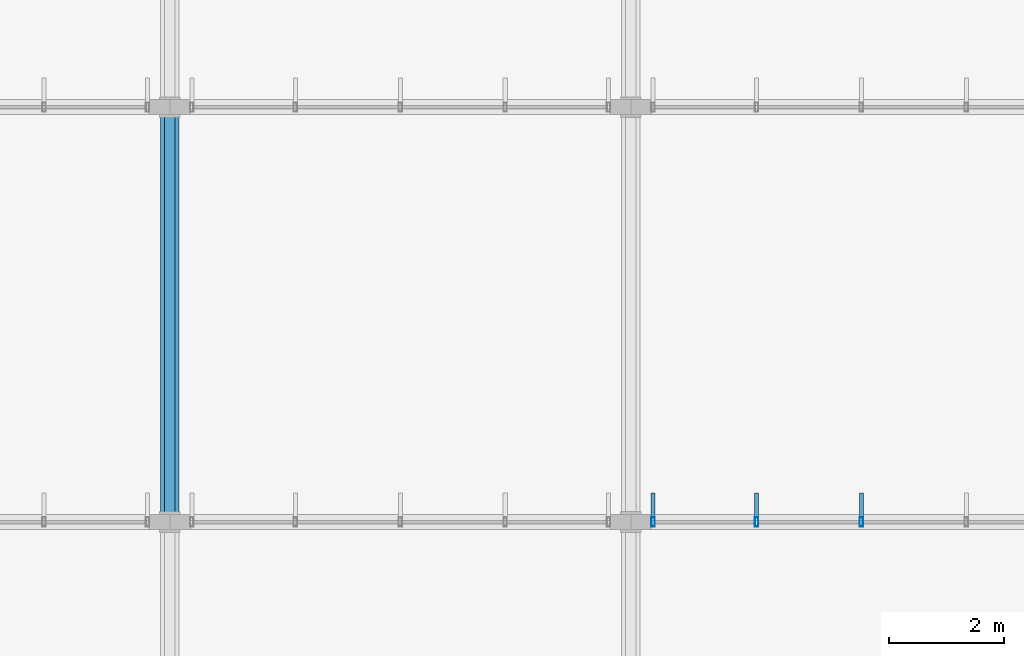
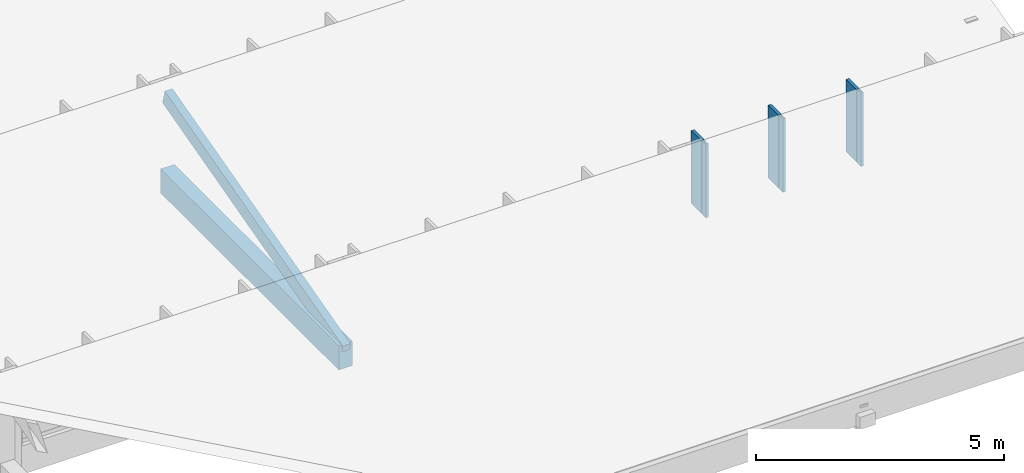
# One storey, part 10 of 94: 8 members, 1 element without a shape of its own.
"""IFC4 building model written with IfcOpenShell, lengths in metres."""

import ifcopenshell
import ifcopenshell.guid

model = None  # the IFC model being written
_history = None  # IfcOwnerHistory: only IFC2X3 demands one
_inside = {}  # id of a spatial element -> (the spatial element, [elements in it])
_under = {}  # id of a project, library or spatial element -> (it, [spatial elements below it])
_declared = {}  # id of a project -> (the project, [libraries it declares])
_typed = {}  # id of a type object -> (the type object, [elements of that type])
_made_of = {}  # id of a material, layer set ... -> (it, [elements and type objects made of it])


def new_model(schema):
    """Start an empty IFC model of exactly this schema.

    Asked for "IFC4X3", IfcOpenShell would pick the latest addendum, in which some entities
    have other attributes; the version numbers below select the first issue.
    IFC2X3 requires an IfcOwnerHistory on every rooted entity: one is made here for all.
    """
    global model, _history
    if schema == "IFC4X3":
        model = ifcopenshell.file(schema_version=(4, 3, 0, 0))
    else:
        model = ifcopenshell.file(schema=schema)
    _inside.clear()
    _under.clear()
    _declared.clear()
    _typed.clear()
    _made_of.clear()
    _history = None
    if model.schema == "IFC2X3":
        org = make("IfcOrganization", Name="unknown")
        user = make(
            "IfcPersonAndOrganization",
            ThePerson=make("IfcPerson", FamilyName="unknown"),
            TheOrganization=org,
        )
        app = make(
            "IfcApplication",
            ApplicationDeveloper=org,
            Version="unknown",
            ApplicationFullName="unknown",
            ApplicationIdentifier="unknown",
        )
        _history = make(
            "IfcOwnerHistory",
            OwningUser=user,
            OwningApplication=app,
            ChangeAction="ADDED",
            CreationDate=0,
        )
    return model


def make(cls, **values):
    """One entity of the class cls with the attributes given. An attribute that is None is left unset."""
    return model.create_entity(
        cls, **{name: value for name, value in values.items() if value is not None}
    )


def rooted(cls, **values):
    """An entity with a GlobalId (a new one), such as an element, a storey or a relation."""
    return make(cls, GlobalId=ifcopenshell.guid.new(), OwnerHistory=_history, **values)


def si_unit(unit_type, name, prefix=None):
    """IfcSIUnit, for example si_unit("LENGTHUNIT", "METRE", prefix="MILLI")."""
    return make("IfcSIUnit", UnitType=unit_type, Prefix=prefix, Name=name)


def assignment(units):
    """IfcUnitAssignment: the units of a project."""
    return None if units is None else make("IfcUnitAssignment", Units=units)


def point(xyz):
    """IfcCartesianPoint."""
    return None if xyz is None else make("IfcCartesianPoint", Coordinates=xyz)


def direction(xyz):
    """IfcDirection."""
    return None if xyz is None else make("IfcDirection", DirectionRatios=xyz)


def frame(location, z_axis=None, x_axis=None):
    """IfcAxis2Placement3D, a coordinate frame: its origin and axes. An axis left out is left unset."""
    return make(
        "IfcAxis2Placement3D",
        Location=point(location),
        Axis=direction(z_axis),
        RefDirection=direction(x_axis),
    )


def frame_2d(location, x_axis=None):
    """IfcAxis2Placement2D, a coordinate frame in the plane: its origin and x axis."""
    return make(
        "IfcAxis2Placement2D", Location=point(location), RefDirection=direction(x_axis)
    )


def origin():
    """The frame at (0, 0, 0) with its axes left unset."""
    return frame((0.0, 0.0, 0.0))


def origin_2d():
    """The frame at (0, 0) in the plane with its x axis left unset."""
    return frame_2d((0.0, 0.0))


def place(relative_to, where):
    """IfcLocalPlacement: puts the frame where relative to a parent placement (None: the world)."""
    return make(
        "IfcLocalPlacement", PlacementRelTo=relative_to, RelativePlacement=where
    )


def context(
    kind, dimensions, precision=None, world=None, true_north=None, identifier=None
):
    """IfcGeometricRepresentationContext, for example the 3D "Model" context."""
    return make(
        "IfcGeometricRepresentationContext",
        ContextIdentifier=identifier,
        ContextType=kind,
        CoordinateSpaceDimension=dimensions,
        Precision=precision,
        WorldCoordinateSystem=world,
        TrueNorth=true_north,
    )


def subcontext(parent, identifier, kind, view, scale=None):
    """IfcGeometricRepresentationSubContext, for example "Body" below "Model"."""
    return make(
        "IfcGeometricRepresentationSubContext",
        ContextIdentifier=identifier,
        ContextType=kind,
        ParentContext=parent,
        TargetScale=scale,
        TargetView=view,
    )


def project(units=None, contexts=None):
    """IfcProject with its units and contexts."""
    return rooted(
        "IfcProject",
        Name="project",
        RepresentationContexts=contexts,
        UnitsInContext=assignment(units),
    )


def spatial(cls, under=None, at=None, **own):
    """A site, building, storey or space (cls), placed at a placement, below another one or the project."""
    s = rooted(cls, ObjectPlacement=at, **own)
    if under is not None:
        _under.setdefault(under.id(), (under, []))[1].append(s)
    return s


def profile(cls, at=None, kind="AREA", **sizes):
    """A parametric profile (cls). Its sizes go by their IFC names, for example OverallWidth=200.0."""
    return make(cls, ProfileType=kind, Position=at, **sizes)


def rectangle(**sizes):
    """IfcRectangleProfileDef."""
    return profile("IfcRectangleProfileDef", **sizes)


def hollow_rectangle(**sizes):
    """IfcRectangleHollowProfileDef."""
    return profile("IfcRectangleHollowProfileDef", **sizes)


def extrude(swept, where, along, depth):
    """IfcExtrudedAreaSolid: the profile swept, set in the frame where, extruded along a direction by depth."""
    return make(
        "IfcExtrudedAreaSolid",
        SweptArea=swept,
        Position=where,
        ExtrudedDirection=direction(along),
        Depth=depth,
    )


def shape(context_of_items, identifier, shape_type, items):
    """IfcShapeRepresentation: the items that make up one representation, for example the "Body"."""
    return make(
        "IfcShapeRepresentation",
        ContextOfItems=context_of_items,
        RepresentationIdentifier=identifier,
        RepresentationType=shape_type,
        Items=items,
    )


def material(Name=None, Category=None):
    """IfcMaterial."""
    return make("IfcMaterial", Name=Name, Category=Category)


def material_profile(
    of_material, cross_section, Name=None, Category=None, Priority=None
):
    """IfcMaterialProfile: a cross section and its material."""
    return make(
        "IfcMaterialProfile",
        Name=Name,
        Material=of_material,
        Profile=cross_section,
        Priority=Priority,
        Category=Category,
    )


def profile_set(profiles, Name=None, composite=None):
    """IfcMaterialProfileSet."""
    return make(
        "IfcMaterialProfileSet",
        Name=Name,
        MaterialProfiles=profiles,
        CompositeProfile=composite,
    )


def made_of(thing, what):
    """Note that an element or type object is made of a material, layer set ...; save() writes the relation."""
    if what is not None:
        _made_of.setdefault(what.id(), (what, []))[1].append(thing)
    return thing


def type_object(cls, material=None, **own):
    """A type object (cls), such as IfcWallType, which elements share."""
    return made_of(rooted(cls, **own), material)


def element(
    cls,
    number,
    at=None,
    inside=None,
    cuts=None,
    type_object=None,
    material=None,
    context=None,
    identifier="Body",
    shape_type=None,
    held_by="IfcProductDefinitionShape",
    body=None,
    shapes=None,
    **own,
):
    """One element of the class cls, such as IfcWall. Its Tag is "e" and its number.

    at: its placement. inside: the storey or other place that contains it. cuts: it is an
    opening in that element (IfcRelVoidsElement). A single representation is given by context,
    identifier, shape_type and body (its items); several are given by shapes. held_by: the class
    of the entity that holds the representations. save() writes the other relations.
    """
    e = rooted(cls, Tag="e%d" % number, ObjectPlacement=at, **own)
    if body is not None:
        shapes = [shape(context, identifier, shape_type, body)]
    if shapes is not None:
        e.Representation = make(held_by, Representations=shapes)
    if inside is not None:
        _inside.setdefault(inside.id(), (inside, []))[1].append(e)
    if cuts is not None:
        rooted(
            "IfcRelVoidsElement", RelatingBuildingElement=cuts, RelatedOpeningElement=e
        )
    if type_object is not None:
        _typed.setdefault(type_object.id(), (type_object, []))[1].append(e)
    return made_of(e, material)


def aggregate(whole, parts):
    """IfcRelAggregates: a whole, such as a stair, and the parts it consists of."""
    return rooted("IfcRelAggregates", RelatingObject=whole, RelatedObjects=parts)


def save(model, path):
    """Write the relations noted so far, then the file.

    IfcRelAggregates (storeys below a building ...), IfcRelContainedInSpatialStructure (elements
    in a storey), IfcRelDefinesByType, IfcRelAssociatesMaterial and IfcRelDeclares: one each for
    every whole, place, type object, material and project.
    """
    for whole, parts in _under.values():
        aggregate(whole, parts)
    for where, things in _inside.values():
        rooted(
            "IfcRelContainedInSpatialStructure",
            RelatedElements=things,
            RelatingStructure=where,
        )
    for kind, things in _typed.values():
        rooted("IfcRelDefinesByType", RelatedObjects=things, RelatingType=kind)
    for what, things in _made_of.values():
        rooted("IfcRelAssociatesMaterial", RelatedObjects=things, RelatingMaterial=what)
    for by, libraries in _declared.values():
        rooted("IfcRelDeclares", RelatingContext=by, RelatedDefinitions=libraries)
    model.write(path)


model = new_model("IFC4")

# Units and contexts
model_context = context("Model", 3, precision=1e-05, world=origin(), true_north=direction((0.0, 1.0)))
body_context = subcontext(model_context, "Body", "Model", "MODEL_VIEW")
ifc_project = project(units=[si_unit("LENGTHUNIT", "METRE"), si_unit("AREAUNIT", "SQUARE_METRE"), si_unit("VOLUMEUNIT", "CUBIC_METRE"), si_unit("PLANEANGLEUNIT", "RADIAN"), si_unit("MASSUNIT", "GRAM", prefix="KILO")], contexts=[model_context])

# Site, building, storey
site_placement = place(None, origin())
site = spatial("IfcSite", under=ifc_project, at=site_placement, CompositionType="ELEMENT")
building_placement = place(site_placement, origin())
building = spatial("IfcBuilding", under=site, at=building_placement, Name="Chiffa Square Polytechnic", CompositionType="ELEMENT")
storey_placement = place(building_placement, frame((0.0, 0.0, 18.0)))
storey = spatial("IfcBuildingStorey", under=building, at=storey_placement, Name="L04", CompositionType="ELEMENT", Elevation=18.0)

# Curtain wall, members
ifc_material_1 = material(Name="Aluminium EN AW-6060 T66 and glulam shading", Category="wood")
curtain_wall_type = type_object("IfcCurtainWallType", Name="CW-VERT-360X380", PredefinedType="USERDEFINED", material=ifc_material_1)
curtain_wall_placement = place(storey_placement, origin())
curtain_wall = element("IfcCurtainWall", 1, at=curtain_wall_placement, inside=storey, type_object=curtain_wall_type, Name="Curtain wall CW-V6-SAW1-4", ObjectType="CURTAIN WALL", PredefinedType="USERDEFINED")
ifc_material_2 = material(Name="Aluminium EN AW-6060 T66", Category="aluminium")
ifc_material_profile_1 = material_profile(ifc_material_2, hollow_rectangle(XDim=0.06005859375, YDim=0.159912109375, WallThickness=0.00390625, at=origin_2d()), Name="ALU 60x160x4")
ifc_profile_set_1 = profile_set([ifc_material_profile_1], Name="Aluminium EN AW-6060 T66")
member_type_1 = type_object("IfcMemberType", Name="CWM-ALU-65X150", PredefinedType="MULLION", material=ifc_profile_set_1)
member_1_placement = place(storey_placement, frame((28.0, 43.800048828125, 0.699951171875), z_axis=(0.0, 0.0, 1.0), x_axis=(1.0, 0.0, 0.0)))
member_1 = element("IfcMember", 2, at=member_1_placement, type_object=member_type_1, Name="Curtain wall mullion CW-V6-SAW1-4-M02", PredefinedType="MULLION", context=body_context, shape_type="SweptSolid", body=[
    extrude(hollow_rectangle(XDim=0.06005859375, YDim=0.159912109375, WallThickness=0.00390625, at=origin_2d()), origin(), (0.0, 0.0, 1.0), 1.81201171875),
])
member_2_placement = place(storey_placement, frame((26.179931640625, 43.800048828125, 0.699951171875), z_axis=(0.0, 0.0, 1.0), x_axis=(1.0, 0.0, 0.0)))
member_2 = element("IfcMember", 3, at=member_2_placement, type_object=member_type_1, Name="Curtain wall mullion CW-V6-SAW1-4-M03", PredefinedType="MULLION", context=body_context, shape_type="SweptSolid", body=[
    extrude(hollow_rectangle(XDim=0.06005859375, YDim=0.159912109375, WallThickness=0.00390625, at=origin_2d()), origin(), (0.0, 0.0, 1.0), 1.81201171875),
])
member_3_placement = place(storey_placement, frame((24.385009765625, 43.800048828125, 0.699951171875), z_axis=(0.0, 0.0, 1.0), x_axis=(1.0, 0.0, 0.0)))
member_3 = element("IfcMember", 4, at=member_3_placement, type_object=member_type_1, Name="Curtain wall mullion CW-V6-SAW1-4-M04", PredefinedType="MULLION", context=body_context, shape_type="SweptSolid", body=[
    extrude(hollow_rectangle(XDim=0.06005859375, YDim=0.159912109375, WallThickness=0.00390625, at=origin_2d()), origin(), (0.0, 0.0, 1.0), 1.81201171875),
])
ifc_material_3 = material(Name="Glulam GL28h", Category="wood")
ifc_material_profile_2 = material_profile(ifc_material_3, rectangle(XDim=0.070068359375, YDim=0.419921875, at=origin_2d()), Name="GL28h 70x420")
ifc_profile_set_2 = profile_set([ifc_material_profile_2], Name="Glulam GL28h")
member_type_2 = type_object("IfcMemberType", Name="CWM-GL-70X420", PredefinedType="MULLION", material=ifc_profile_set_2)
member_4_placement = place(storey_placement, frame((28.0, 44.092041015625, 0.7099609375), z_axis=(0.0, 0.0, 1.0), x_axis=(-1.0, 0.0, 0.0)))
member_4 = element("IfcMember", 5, at=member_4_placement, type_object=member_type_2, Name="Exterior glulam solar fin CW-V6-SAW1-4-FN02", PredefinedType="MULLION", context=body_context, shape_type="SweptSolid", body=[
    extrude(rectangle(XDim=0.070068359375, YDim=0.419921875, at=origin_2d()), origin(), (0.0, 0.0, 1.0), 1.7919921875),
])
member_5_placement = place(storey_placement, frame((26.179931640625, 44.092041015625, 0.7099609375), z_axis=(0.0, 0.0, 1.0), x_axis=(-1.0, 0.0, 0.0)))
member_5 = element("IfcMember", 6, at=member_5_placement, type_object=member_type_2, Name="Exterior glulam solar fin CW-V6-SAW1-4-FN03", PredefinedType="MULLION", context=body_context, shape_type="SweptSolid", body=[
    extrude(rectangle(XDim=0.070068359375, YDim=0.419921875, at=origin_2d()), origin(), (0.0, 0.0, 1.0), 1.7919921875),
])
member_6_placement = place(storey_placement, frame((24.385009765625, 44.092041015625, 0.7099609375), z_axis=(0.0, 0.0, 1.0), x_axis=(-1.0, 0.0, 0.0)))
member_6 = element("IfcMember", 7, at=member_6_placement, type_object=member_type_2, Name="Exterior glulam solar fin CW-V6-SAW1-4-FN04", PredefinedType="MULLION", context=body_context, shape_type="SweptSolid", body=[
    extrude(rectangle(XDim=0.070068359375, YDim=0.419921875, at=origin_2d()), origin(), (0.0, 0.0, 1.0), 1.7919921875),
])
aggregate(curtain_wall, [member_1, member_4, member_2, member_5, member_3, member_6])

# Members
ifc_material_4 = material(Name="Glulam GL32c", Category="wood")
ifc_material_profile_3 = material_profile(ifc_material_4, rectangle(XDim=0.320068359375, YDim=0.60009765625, at=origin_2d()), Name="GL32c 320x600")
ifc_profile_set_3 = profile_set([ifc_material_profile_3], Name="Glulam GL32c")
member_type_3 = type_object("IfcMemberType", Name="MEM-CHORD-GL320", PredefinedType="CHORD", material=ifc_profile_set_3)
member_7_placement = place(storey_placement, frame((16.0, 43.800048828125, 0.179931640625), z_axis=(0.0, 1.0, 0.0), x_axis=(-1.0, 0.0, 0.0)))
element("IfcMember", 8, at=member_7_placement, inside=storey, type_object=member_type_3, Name="Studio sawtooth tie chord TCB-V6-SAW-008", PredefinedType="CHORD", context=body_context, shape_type="SweptSolid", body=[
    extrude(rectangle(XDim=0.320068359375, YDim=0.60009765625, at=origin_2d()), origin(), (0.0, 0.0, 1.0), 7.199951171875),
])
ifc_material_profile_4 = material_profile(ifc_material_3, rectangle(XDim=0.179931640625, YDim=0.360107421875, at=origin_2d()), Name="GL28h 180x360")
ifc_profile_set_4 = profile_set([ifc_material_profile_4], Name="Glulam GL28h")
member_type_4 = type_object("IfcMemberType", Name="MEM-RFT-GL180", PredefinedType="RAFTER", material=ifc_profile_set_4)
member_8_placement = place(storey_placement, frame((16.0, 43.800048828125, 0.300048828125), z_axis=(0.0, 0.965934748059, 0.258785746309), x_axis=(-1.0, 0.0, 0.0)))
element("IfcMember", 9, at=member_8_placement, inside=storey, type_object=member_type_4, Name="Studio sawtooth glulam rafter RF-V6-L04-008", PredefinedType="RAFTER", context=body_context, shape_type="SweptSolid", body=[
    extrude(rectangle(XDim=0.179931640625, YDim=0.360107421875, at=origin_2d()), origin(), (0.0, 0.0, 1.0), 7.453857421875),
])

save(model, "model.ifc")
